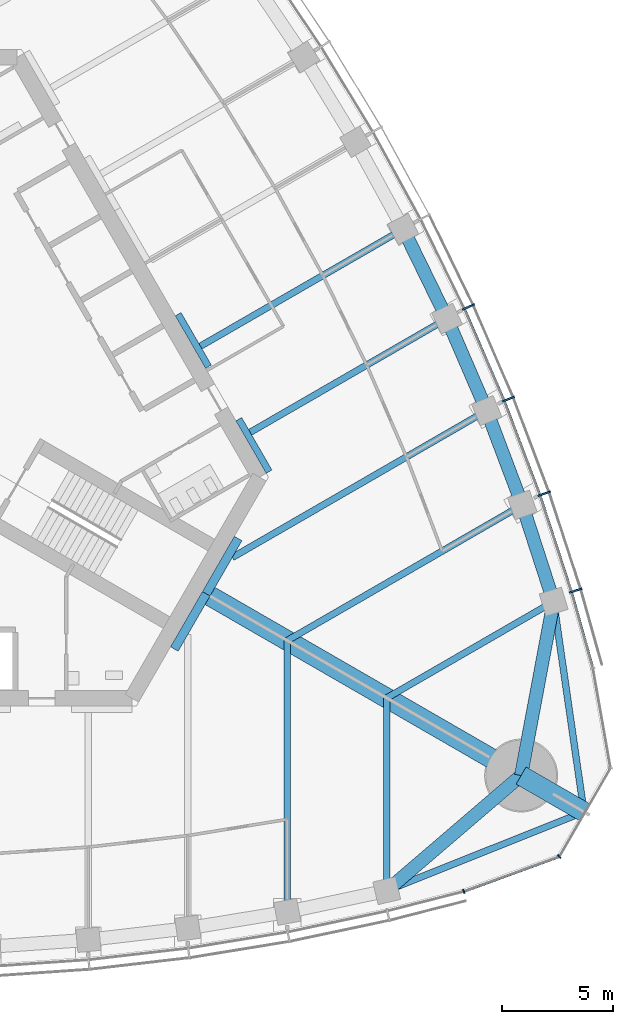
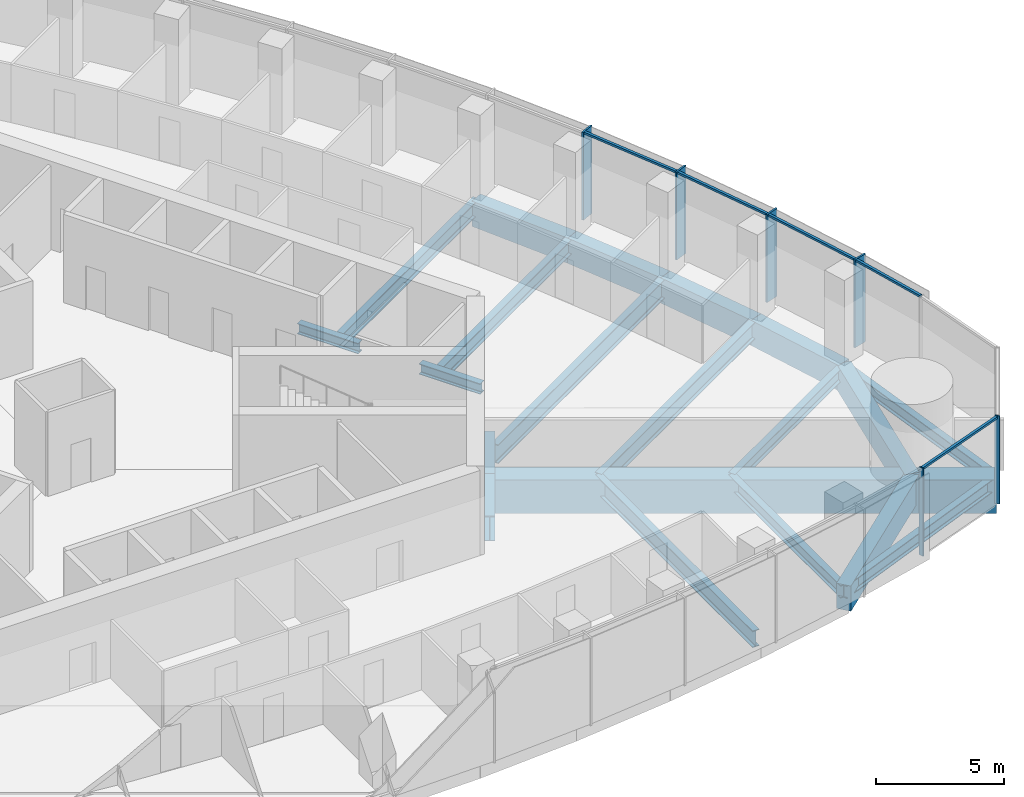
# One storey, part 4 of 19: 21 beams, 11 members, 2 elements without a shape of their own.
"""IFC4 building model written with IfcOpenShell, lengths in metres."""

from ifc_helpers import new_model, si_unit, direction, frame, origin, origin_2d, place, context, subcontext, project, spatial, rectangle, i_section, extrude, material, material_profile, profile_set, type_object, element, aggregate, save


model = new_model("IFC4")

# Units and contexts
model_context = context("Model", 3, precision=1e-05, world=origin(), true_north=direction((0.0, 1.0)))
body_context = subcontext(model_context, "Body", "Model", "MODEL_VIEW")
ifc_project = project(units=[si_unit("LENGTHUNIT", "METRE"), si_unit("AREAUNIT", "SQUARE_METRE"), si_unit("VOLUMEUNIT", "CUBIC_METRE"), si_unit("PLANEANGLEUNIT", "RADIAN"), si_unit("MASSUNIT", "GRAM", prefix="KILO")], contexts=[model_context])

# Site, building, storey
site_placement = place(None, origin())
site = spatial("IfcSite", under=ifc_project, at=site_placement, CompositionType="ELEMENT")
building_placement = place(site_placement, origin())
building = spatial("IfcBuilding", under=site, at=building_placement, Name="Trefoil Bronze Tower", CompositionType="ELEMENT")
storey_placement = place(building_placement, frame((0.0, 0.0, 235.89990234375)))
storey = spatial("IfcBuildingStorey", under=building, at=storey_placement, Name="L54", CompositionType="ELEMENT", Elevation=235.89990234375)

# Curtain wall, members
ifc_material_1 = material(Name="Tinted solar-control glass", Category="glass")
curtain_wall_type_1 = type_object("IfcCurtainWallType", Name="Bronze office curtain wall", PredefinedType="USERDEFINED", material=ifc_material_1)
curtain_wall_1_placement = place(storey_placement, origin())
curtain_wall_1 = element("IfcCurtainWall", 1, at=curtain_wall_1_placement, inside=storey, type_object=curtain_wall_type_1, Name="CW-A L54 F2", ObjectType="CURTAIN WALL", PredefinedType="USERDEFINED")
ifc_material_2 = material(Name="Bronze-finish aluminium", Category="aluminium")
ifc_material_profile_1 = material_profile(ifc_material_2, rectangle(XDim=0.60009765625, YDim=0.080078125, at=origin_2d()), Name="CW-A mullion")
ifc_profile_set_1 = profile_set([ifc_material_profile_1], Name="Bronze-finish aluminium")
member_type_1 = type_object("IfcMemberType", Name="Bronze office curtain wall mullion", PredefinedType="MULLION", material=ifc_profile_set_1)
member_1_placement = place(storey_placement, frame((31.05029296875, -8.132568359375, 0.0), z_axis=(0.0, 0.0, 1.0), x_axis=(-0.95694224323, -0.290278389002, 0.0)))
member_1 = element("IfcMember", 2, at=member_1_placement, type_object=member_type_1, Name="CW-A L54 F2 mullion 2", PredefinedType="MULLION", context=body_context, shape_type="SweptSolid", body=[
    extrude(rectangle(XDim=0.60009765625, YDim=0.080078125, at=origin_2d()), origin(), (0.0, 0.0, 1.0), 4.18017578125),
])
member_2_placement = place(storey_placement, frame((29.619873046875, -3.747314453125, 0.0), z_axis=(0.0, 0.0, 1.0), x_axis=(-0.943180077746, -0.332282020191, 0.0)))
member_2 = element("IfcMember", 3, at=member_2_placement, type_object=member_type_1, Name="CW-A L54 F2 mullion 3", PredefinedType="MULLION", context=body_context, shape_type="SweptSolid", body=[
    extrude(rectangle(XDim=0.60009765625, YDim=0.080078125, at=origin_2d()), origin(), (0.0, 0.0, 1.0), 4.18017578125),
])
member_3_placement = place(storey_placement, frame((27.999755859375, 0.529541015625, 0.0), z_axis=(0.0, 0.0, 1.0), x_axis=(-0.926689348282, -0.375828221106, 0.0)))
member_3 = element("IfcMember", 4, at=member_3_placement, type_object=member_type_1, Name="CW-A L54 F2 mullion 4", PredefinedType="MULLION", context=body_context, shape_type="SweptSolid", body=[
    extrude(rectangle(XDim=0.60009765625, YDim=0.080078125, at=origin_2d()), origin(), (0.0, 0.0, 1.0), 4.18017578125),
])
member_4_placement = place(storey_placement, frame((26.19482421875, 4.699462890625, 0.0), z_axis=(0.0, 0.0, 1.0), x_axis=(-0.908315380354, -0.418285990457, 0.0)))
member_4 = element("IfcMember", 5, at=member_4_placement, type_object=member_type_1, Name="CW-A L54 F2 mullion 5", PredefinedType="MULLION", context=body_context, shape_type="SweptSolid", body=[
    extrude(rectangle(XDim=0.60009765625, YDim=0.080078125, at=origin_2d()), origin(), (0.0, 0.0, 1.0), 4.18017578125),
])
ifc_material_3 = material(Name="Bronze-finish aluminium", Category="aluminium")
ifc_material_profile_2 = material_profile(ifc_material_3, rectangle(XDim=0.1201171875, YDim=0.10009765625, at=origin_2d()), Name="CW-A transom")
ifc_profile_set_2 = profile_set([ifc_material_profile_2], Name="Bronze-finish aluminium")
member_type_2 = type_object("IfcMemberType", Name="Bronze office curtain wall transom", PredefinedType="USERDEFINED", material=ifc_profile_set_2)
member_5_placement = place(storey_placement, frame((31.81201171875, -11.585205078125, 4.130126953125), z_axis=(-0.270284880437, 0.962780392097, 0.0), x_axis=(-0.962780392097, -0.270284880437, 0.0)))
member_5 = element("IfcMember", 6, at=member_5_placement, type_object=member_type_2, Name="CW-A L54 F2 transom 1", ObjectType="TRANSOM", PredefinedType="USERDEFINED", context=body_context, shape_type="SweptSolid", body=[
    extrude(rectangle(XDim=0.1201171875, YDim=0.10009765625, at=origin_2d()), origin(), (0.0, 0.0, 1.0), 3.48388671875),
])
member_6_placement = place(storey_placement, frame((30.845947265625, -8.150634765625, 4.130126953125), z_axis=(-0.310127806788, 0.950694874004, 0.0), x_axis=(-0.950694874004, -0.310127806788, 0.0)))
member_6 = element("IfcMember", 7, at=member_6_placement, type_object=member_type_2, Name="CW-A L54 F2 transom 2", ObjectType="TRANSOM", PredefinedType="USERDEFINED", context=body_context, shape_type="SweptSolid", body=[
    extrude(rectangle(XDim=0.1201171875, YDim=0.10009765625, at=origin_2d()), origin(), (0.0, 0.0, 1.0), 4.51953125),
])
member_7_placement = place(storey_placement, frame((29.416259765625, -3.774169921875, 4.130126953125), z_axis=(-0.354263170896, 0.935145767112, 0.0), x_axis=(-0.935145767112, -0.354263170896, 0.0)))
member_7 = element("IfcMember", 8, at=member_7_placement, type_object=member_type_2, Name="CW-A L54 F2 transom 3", ObjectType="TRANSOM", PredefinedType="USERDEFINED", context=body_context, shape_type="SweptSolid", body=[
    extrude(rectangle(XDim=0.1201171875, YDim=0.10009765625, at=origin_2d()), origin(), (0.0, 0.0, 1.0), 4.4794921875),
])
member_8_placement = place(storey_placement, frame((27.797607421875, 0.4931640625, 4.130126953125), z_axis=(-0.397220936772, 0.917723012346, 0.0), x_axis=(-0.917723012346, -0.397220936772, 0.0)))
member_8 = element("IfcMember", 9, at=member_8_placement, type_object=member_type_2, Name="CW-A L54 F2 transom 4", ObjectType="TRANSOM", PredefinedType="USERDEFINED", context=body_context, shape_type="SweptSolid", body=[
    extrude(rectangle(XDim=0.1201171875, YDim=0.10009765625, at=origin_2d()), origin(), (0.0, 0.0, 1.0), 4.449951171875),
])
aggregate(curtain_wall_1, [member_1, member_2, member_3, member_4, member_5, member_6, member_7, member_8])

ifc_material_4 = material(Name="Tinted solar-control glass", Category="glass")
curtain_wall_type_2 = type_object("IfcCurtainWallType", Name="Bronze rounded corner curtain wall", PredefinedType="USERDEFINED", material=ifc_material_4)
curtain_wall_2_placement = place(storey_placement, origin())
curtain_wall_2 = element("IfcCurtainWall", 10, at=curtain_wall_2_placement, inside=storey, type_object=curtain_wall_type_2, Name="CW-B L54 K1", ObjectType="CURTAIN WALL", PredefinedType="USERDEFINED")
ifc_material_5 = material(Name="Bronze-finish aluminium", Category="aluminium")
ifc_material_profile_3 = material_profile(ifc_material_5, rectangle(XDim=0.199951171875, YDim=0.06005859375, at=origin_2d()), Name="CW-B mullion")
ifc_profile_set_3 = profile_set([ifc_material_profile_3], Name="Bronze-finish aluminium")
member_type_3 = type_object("IfcMemberType", Name="Bronze rounded corner curtain wall mullion", PredefinedType="MULLION", material=ifc_profile_set_3)
member_9_placement = place(storey_placement, frame((25.9873046875, -21.74462890625, 0.0), z_axis=(0.0, 0.0, 1.0), x_axis=(-0.342020143326, 0.939692620786, 0.0)))
member_9 = element("IfcMember", 11, at=member_9_placement, type_object=member_type_3, Name="CW-B L54 K1 mullion 1", PredefinedType="MULLION", context=body_context, shape_type="SweptSolid", body=[
    extrude(rectangle(XDim=0.199951171875, YDim=0.06005859375, at=origin_2d()), origin(), (0.0, 0.0, 1.0), 4.18017578125),
])
member_10_placement = place(storey_placement, frame((30.302490234375, -20.16748046875, 0.0), z_axis=(0.0, 0.0, 1.0), x_axis=(-0.642787609687, 0.766044443119, 0.0)))
member_10 = element("IfcMember", 12, at=member_10_placement, type_object=member_type_3, Name="CW-B L54 K1 mullion 2", PredefinedType="MULLION", context=body_context, shape_type="SweptSolid", body=[
    extrude(rectangle(XDim=0.199951171875, YDim=0.06005859375, at=origin_2d()), origin(), (0.0, 0.0, 1.0), 4.18017578125),
])
ifc_material_6 = material(Name="Bronze-finish aluminium", Category="aluminium")
ifc_material_profile_4 = material_profile(ifc_material_6, rectangle(XDim=0.1201171875, YDim=0.10009765625, at=origin_2d()), Name="CW-B transom")
ifc_profile_set_4 = profile_set([ifc_material_profile_4], Name="Bronze-finish aluminium")
member_type_4 = type_object("IfcMemberType", Name="Bronze rounded corner curtain wall transom", PredefinedType="USERDEFINED", material=ifc_profile_set_4)
member_11_placement = place(storey_placement, frame((26.015380859375, -21.734375, 4.130126953125), z_axis=(0.939680910753, 0.342052314664, 0.0), x_axis=(-0.342052314664, 0.939680910753, 0.0)))
member_11 = element("IfcMember", 13, at=member_11_placement, type_object=member_type_4, Name="CW-B L54 K1 transom 1", ObjectType="TRANSOM", PredefinedType="USERDEFINED", context=body_context, shape_type="SweptSolid", body=[
    extrude(rectangle(XDim=0.1201171875, YDim=0.10009765625, at=origin_2d()), origin(), (0.0, 0.0, 1.0), 4.500244140625),
])
aggregate(curtain_wall_2, [member_9, member_10, member_11])

# Beams
ifc_material_7 = material(Name="Steel C355", Category="steel")
ifc_material_profile_5 = material_profile(ifc_material_7, i_section(OverallWidth=0.300048828125, OverallDepth=0.5, WebThickness=0.014404296875, FlangeThickness=0.028076171875, FilletRadius=0.027099609375, at=origin_2d()), Name="HEB 500")
ifc_profile_set_5 = profile_set([ifc_material_profile_5], Name="Steel C355")
beam_type_1 = type_object("IfcBeamType", Name="Core seat beam HEB 500", PredefinedType="BEAM", material=ifc_profile_set_5)
for number, where, z_axis, x_axis, name in (
    (14, (17.17626953125, -2.75, -0.449951171875), (-0.500035825175, 0.866004719122, 0.0), (-0.866004719122, -0.500035825175, 0.0), "Core seat beam F2/-2 L54"),
    (15, (14.433837890625, 2.0, -0.449951171875), (-0.500035825175, 0.866004719122, 0.0), (-0.866004719122, -0.500035825175, 0.0), "Core seat beam F2/-1 L54"),
):
    element("IfcBeam", number, at=place(storey_placement, frame(where, z_axis=z_axis, x_axis=x_axis)), inside=storey, type_object=beam_type_1, Name=name, PredefinedType="BEAM", context=body_context, shape_type="SweptSolid", body=[
        extrude(i_section(OverallWidth=0.300048828125, OverallDepth=0.5, WebThickness=0.014404296875, FlangeThickness=0.028076171875, FilletRadius=0.027099609375, at=origin_2d()), origin(), (0.0, 0.0, 1.0), 2.742431640625),
    ])
ifc_material_8 = material(Name="Steel C355", Category="steel")
ifc_material_profile_6 = material_profile(ifc_material_8, i_section(OverallWidth=0.39990234375, OverallDepth=1.199951171875, WebThickness=0.02001953125, FlangeThickness=0.0400390625, FilletRadius=0.010009765625, at=origin_2d()), Name="WPG 1200")
ifc_profile_set_6 = profile_set([ifc_material_profile_6], Name="Steel C355")
beam_type_2 = type_object("IfcBeamType", Name="Core seat beam WPG 1200", PredefinedType="BEAM", material=ifc_profile_set_6)
for number, where, z_axis, x_axis, name in (
    (16, (12.889404296875, -10.77490234375, -0.7998046875), (0.499995765644, 0.866027848477, 0.0), (-0.866027848477, 0.499995765644, 0.0), "Core seat beam F1/+3 L54"),
    (17, (14.332763671875, -8.27490234375, -0.7998046875), (0.499995765644, 0.866027848477, 0.0), (-0.866027848477, 0.499995765644, 0.0), "Core seat beam F2/-3 L54"),
):
    element("IfcBeam", number, at=place(storey_placement, frame(where, z_axis=z_axis, x_axis=x_axis)), inside=storey, type_object=beam_type_2, Name=name, PredefinedType="BEAM", context=body_context, shape_type="SweptSolid", body=[
        extrude(i_section(OverallWidth=0.39990234375, OverallDepth=1.199951171875, WebThickness=0.02001953125, FlangeThickness=0.0400390625, FilletRadius=0.010009765625, at=origin_2d()), origin(), (0.0, 0.0, 1.0), 2.88671875),
    ])
ifc_material_9 = material(Name="Concrete B80", Category="concrete")
ifc_material_profile_7 = material_profile(ifc_material_9, rectangle(XDim=0.89990234375, YDim=1.60009765625, at=origin_2d()), Name="RC 900x1600")
ifc_profile_set_7 = profile_set([ifc_material_profile_7], Name="Concrete B80")
beam_type_3 = type_object("IfcBeamType", Name="Corner cantilever RC 900x1600", PredefinedType="BEAM", material=ifc_profile_set_7)
beam_1_placement = place(storey_placement, frame((28.578857421875, -16.5, -1.0), z_axis=(0.866016004958, -0.500016278891, 0.0), x_axis=(0.500016278891, 0.866016004958, 0.0)))
element("IfcBeam", 18, at=beam_1_placement, inside=storey, type_object=beam_type_3, Name="Corner cantilever K1 L54", PredefinedType="BEAM", context=body_context, shape_type="SweptSolid", body=[
    extrude(rectangle(XDim=0.89990234375, YDim=1.60009765625, at=origin_2d()), origin(), (0.0, 0.0, 1.0), 3.28466796875),
])
ifc_material_10 = material(Name="Steel C355", Category="steel")
ifc_material_profile_8 = material_profile(ifc_material_10, i_section(OverallWidth=0.300048828125, OverallDepth=0.60009765625, WebThickness=0.015380859375, FlangeThickness=0.030029296875, FilletRadius=0.027099609375, at=origin_2d()), Name="HEB 600")
ifc_profile_set_8 = profile_set([ifc_material_profile_8], Name="Steel C355")
beam_type_4 = type_object("IfcBeamType", Name="Corner edge beam HEB 600", PredefinedType="BEAM", material=ifc_profile_set_8)
for number, where, z_axis, x_axis, name in (
    (19, (22.5, -21.71044921875, -0.5), (0.92852048463, 0.371281173266, 0.0), (-0.371281173266, 0.92852048463, 0.0), "Corner edge beam F1A L54"),
    (20, (30.052001953125, -8.63037109375, -0.5), (0.142694489722, -0.989766781925, 0.0), (0.989766781925, 0.142694489722, 0.0), "Corner edge beam F2B L54"),
):
    element("IfcBeam", number, at=place(storey_placement, frame(where, z_axis=z_axis, x_axis=x_axis)), inside=storey, type_object=beam_type_4, Name=name, PredefinedType="BEAM", context=body_context, shape_type="SweptSolid", body=[
        extrude(i_section(OverallWidth=0.300048828125, OverallDepth=0.60009765625, WebThickness=0.015380859375, FlangeThickness=0.030029296875, FilletRadius=0.027099609375, at=origin_2d()), origin(), (0.0, 0.0, 1.0), 9.6103515625),
    ])
ifc_material_11 = material(Name="Concrete B80", Category="concrete")
ifc_material_profile_9 = material_profile(ifc_material_11, rectangle(XDim=0.89990234375, YDim=1.60009765625, at=origin_2d()), Name="RC 900x1600")
ifc_profile_set_9 = profile_set([ifc_material_profile_9], Name="Concrete B80")
beam_type_5 = type_object("IfcBeamType", Name="Corner girder RC 900x1600", PredefinedType="BEAM", material=ifc_profile_set_9)
beam_2_placement = place(storey_placement, frame((14.159423828125, -8.175048828125, -1.0), z_axis=(0.866028334591, -0.49999492366, 0.0), x_axis=(0.49999492366, 0.866028334591, 0.0)))
element("IfcBeam", 21, at=beam_2_placement, inside=storey, type_object=beam_type_5, Name="Corner girder K1 L54", PredefinedType="BEAM", context=body_context, shape_type="SweptSolid", body=[
    extrude(rectangle(XDim=0.89990234375, YDim=1.60009765625, at=origin_2d()), origin(), (0.0, 0.0, 1.0), 16.650146484375),
])
ifc_material_12 = material(Name="Concrete B80", Category="concrete")
ifc_material_profile_10 = material_profile(ifc_material_12, rectangle(XDim=0.60009765625, YDim=1.199951171875, at=origin_2d()), Name="RC 600x1200")
ifc_profile_set_10 = profile_set([ifc_material_profile_10], Name="Concrete B80")
beam_type_6 = type_object("IfcBeamType", Name="End spandrel beam RC 600x1200", PredefinedType="SPANDREL", material=ifc_profile_set_10)
for number, where, z_axis, x_axis, name in (
    (22, (22.5, -21.71044921875, -0.7998046875), (0.759256602365, 0.650791373456, 0.0), (-0.650791373456, 0.759256602365, 0.0), "Spandrel F1.12 L54"),
    (23, (28.578857421875, -16.5, -0.7998046875), (0.18399763073, 0.982926686933, 0.0), (-0.982926686933, 0.18399763073, 0.0), "Spandrel F2.1 L54"),
):
    element("IfcBeam", number, at=place(storey_placement, frame(where, z_axis=z_axis, x_axis=x_axis)), inside=storey, type_object=beam_type_6, Name=name, PredefinedType="SPANDREL", context=body_context, shape_type="SweptSolid", body=[
        extrude(rectangle(XDim=0.60009765625, YDim=1.199951171875, at=origin_2d()), origin(), (0.0, 0.0, 1.0), 8.00634765625),
    ])
ifc_material_13 = material(Name="Steel C355", Category="steel")
ifc_material_profile_11 = material_profile(ifc_material_13, i_section(OverallWidth=0.300048828125, OverallDepth=0.590087890625, WebThickness=0.012939453125, FlangeThickness=0.02490234375, FilletRadius=0.027099609375, at=origin_2d()), Name="HEA 600")
ifc_profile_set_11 = profile_set([ifc_material_profile_11], Name="Steel C355")
beam_type_7 = type_object("IfcBeamType", Name="Floor beam HEA 600", PredefinedType="BEAM", material=ifc_profile_set_11)
beam_3_placement = place(storey_placement, frame((22.5, -21.71044921875, -0.494873046875), z_axis=(0.0, 1.0, 0.0), x_axis=(-1.0, 0.0, 0.0)))
element("IfcBeam", 24, at=beam_3_placement, inside=storey, type_object=beam_type_7, Name="Floor beam F1/+5 L54", PredefinedType="BEAM", context=body_context, shape_type="SweptSolid", body=[
    extrude(i_section(OverallWidth=0.300048828125, OverallDepth=0.590087890625, WebThickness=0.012939453125, FlangeThickness=0.02490234375, FilletRadius=0.027099609375, at=origin_2d()), origin(), (0.0, 0.0, 1.0), 8.719970703125),
])
beam_4_placement = place(storey_placement, frame((30.052001953125, -8.63037109375, -0.494873046875), z_axis=(-0.866027535932, -0.499996306993, 0.0), x_axis=(0.499996306993, -0.866027535932, 0.0)))
element("IfcBeam", 25, at=beam_4_placement, inside=storey, type_object=beam_type_7, Name="Floor beam F2/-5 L54", PredefinedType="BEAM", context=body_context, shape_type="SweptSolid", body=[
    extrude(i_section(OverallWidth=0.300048828125, OverallDepth=0.590087890625, WebThickness=0.012939453125, FlangeThickness=0.02490234375, FilletRadius=0.027099609375, at=origin_2d()), origin(), (0.0, 0.0, 1.0), 8.72021484375),
])
ifc_material_14 = material(Name="Steel C355", Category="steel")
ifc_material_profile_12 = material_profile(ifc_material_14, i_section(OverallWidth=0.300048828125, OverallDepth=0.699951171875, WebThickness=0.01708984375, FlangeThickness=0.031982421875, FilletRadius=0.027099609375, at=origin_2d()), Name="HEB 700")
ifc_profile_set_12 = profile_set([ifc_material_profile_12], Name="Steel C355")
beam_type_8 = type_object("IfcBeamType", Name="Floor beam HEB 700", PredefinedType="BEAM", material=ifc_profile_set_12)
beam_5_placement = place(storey_placement, frame((25.2265625, 4.17236328125, -0.5498046875), z_axis=(-0.866019527493, -0.500010177898, 0.0), x_axis=(0.500010177898, -0.866019527493, 0.0)))
element("IfcBeam", 26, at=beam_5_placement, inside=storey, type_object=beam_type_8, Name="Floor beam F2/-2 L54", PredefinedType="BEAM", context=body_context, shape_type="SweptSolid", body=[
    extrude(i_section(OverallWidth=0.300048828125, OverallDepth=0.699951171875, WebThickness=0.01708984375, FlangeThickness=0.031982421875, FilletRadius=0.027099609375, at=origin_2d()), origin(), (0.0, 0.0, 1.0), 10.282958984375),
])
beam_6_placement = place(storey_placement, frame((23.248046875, 8.22607421875, -0.5498046875), z_axis=(-0.86602981261, -0.499992363612, 0.0), x_axis=(0.499992363612, -0.86602981261, 0.0)))
element("IfcBeam", 27, at=beam_6_placement, inside=storey, type_object=beam_type_8, Name="Floor beam F2/-1 L54", PredefinedType="BEAM", context=body_context, shape_type="SweptSolid", body=[
    extrude(i_section(OverallWidth=0.300048828125, OverallDepth=0.699951171875, WebThickness=0.01708984375, FlangeThickness=0.031982421875, FilletRadius=0.027099609375, at=origin_2d()), origin(), (0.0, 0.0, 1.0), 10.596435546875),
])
ifc_material_15 = material(Name="Steel C355", Category="steel")
ifc_material_profile_13 = material_profile(ifc_material_15, i_section(OverallWidth=0.300048828125, OverallDepth=0.800048828125, WebThickness=0.017578125, FlangeThickness=0.032958984375, FilletRadius=0.030029296875, at=origin_2d()), Name="HEB 800")
ifc_profile_set_13 = profile_set([ifc_material_profile_13], Name="Steel C355")
beam_type_9 = type_object("IfcBeamType", Name="Floor beam HEB 800", PredefinedType="BEAM", material=ifc_profile_set_13)
beam_7_placement = place(storey_placement, frame((18.0, -22.6689453125, -0.599853515625), z_axis=(0.0, 1.0, 0.0), x_axis=(-1.0, 0.0, 0.0)))
element("IfcBeam", 28, at=beam_7_placement, inside=storey, type_object=beam_type_9, Name="Floor beam F1/+4 L54", PredefinedType="BEAM", context=body_context, shape_type="SweptSolid", body=[
    extrude(i_section(OverallWidth=0.300048828125, OverallDepth=0.800048828125, WebThickness=0.017578125, FlangeThickness=0.032958984375, FilletRadius=0.030029296875, at=origin_2d()), origin(), (0.0, 0.0, 1.0), 12.276611328125),
])
beam_8_placement = place(storey_placement, frame((28.632080078125, -4.25390625, -0.599853515625), z_axis=(-0.866025635187, -0.499999599199, 0.0), x_axis=(0.499999599199, -0.866025635187, 0.0)))
element("IfcBeam", 29, at=beam_8_placement, inside=storey, type_object=beam_type_9, Name="Floor beam F2/-4 L54", PredefinedType="BEAM", context=body_context, shape_type="SweptSolid", body=[
    extrude(i_section(OverallWidth=0.300048828125, OverallDepth=0.800048828125, WebThickness=0.017578125, FlangeThickness=0.032958984375, FilletRadius=0.030029296875, at=origin_2d()), origin(), (0.0, 0.0, 1.0), 12.27685546875),
])
ifc_material_16 = material(Name="Steel C355", Category="steel")
ifc_material_profile_14 = material_profile(ifc_material_16, i_section(OverallWidth=0.300048828125, OverallDepth=0.89990234375, WebThickness=0.0185546875, FlangeThickness=0.034912109375, FilletRadius=0.030029296875, at=origin_2d()), Name="HEB 900")
ifc_profile_set_14 = profile_set([ifc_material_profile_14], Name="Steel C355")
beam_type_10 = type_object("IfcBeamType", Name="Floor beam HEB 900", PredefinedType="BEAM", material=ifc_profile_set_14)
beam_9_placement = place(storey_placement, frame((27.022216796875, 0.012939453125, -0.64990234375), z_axis=(-0.866023461342, -0.500003364394, 0.0), x_axis=(0.500003364394, -0.866023461342, 0.0)))
element("IfcBeam", 30, at=beam_9_placement, inside=storey, type_object=beam_type_10, Name="Floor beam F2/-3 L54", PredefinedType="BEAM", context=body_context, shape_type="SweptSolid", body=[
    extrude(i_section(OverallWidth=0.300048828125, OverallDepth=0.89990234375, WebThickness=0.0185546875, FlangeThickness=0.034912109375, FilletRadius=0.030029296875, at=origin_2d()), origin(), (0.0, 0.0, 1.0), 13.291015625),
])
ifc_material_17 = material(Name="Concrete B80", Category="concrete")
ifc_material_profile_15 = material_profile(ifc_material_17, rectangle(XDim=0.60009765625, YDim=1.199951171875, at=origin_2d()), Name="RC 600x1200")
ifc_profile_set_15 = profile_set([ifc_material_profile_15], Name="Concrete B80")
beam_type_11 = type_object("IfcBeamType", Name="Spandrel beam RC 600x1200", PredefinedType="SPANDREL", material=ifc_profile_set_15)
beam_10_placement = place(storey_placement, frame((30.052001953125, -8.63037109375, -0.7998046875), z_axis=(-0.308608505504, 0.951189145402, 0.0), x_axis=(-0.951189145402, -0.308608505504, 0.0)))
element("IfcBeam", 31, at=beam_10_placement, inside=storey, type_object=beam_type_11, Name="Spandrel F2.2 L54", PredefinedType="SPANDREL", context=body_context, shape_type="SweptSolid", body=[
    extrude(rectangle(XDim=0.60009765625, YDim=1.199951171875, at=origin_2d()), origin(), (0.0, 0.0, 1.0), 4.60107421875),
])
beam_11_placement = place(storey_placement, frame((28.632080078125, -4.25390625, -0.7998046875), z_axis=(-0.353005969632, 0.935621069346, 0.0), x_axis=(-0.935621069346, -0.353005969632, 0.0)))
element("IfcBeam", 32, at=beam_11_placement, inside=storey, type_object=beam_type_11, Name="Spandrel F2.3 L54", PredefinedType="SPANDREL", context=body_context, shape_type="SweptSolid", body=[
    extrude(rectangle(XDim=0.60009765625, YDim=1.199951171875, at=origin_2d()), origin(), (0.0, 0.0, 1.0), 4.560546875),
])
beam_12_placement = place(storey_placement, frame((27.022216796875, 0.012939453125, -0.7998046875), z_axis=(-0.396350337164, 0.918099346602, 0.0), x_axis=(-0.918099346602, -0.396350337164, 0.0)))
element("IfcBeam", 33, at=beam_12_placement, inside=storey, type_object=beam_type_11, Name="Spandrel F2.4 L54", PredefinedType="SPANDREL", context=body_context, shape_type="SweptSolid", body=[
    extrude(rectangle(XDim=0.60009765625, YDim=1.199951171875, at=origin_2d()), origin(), (0.0, 0.0, 1.0), 4.530517578125),
])
beam_13_placement = place(storey_placement, frame((25.2265625, 4.17236328125, -0.7998046875), z_axis=(-0.438619830351, 0.898672712629, 0.0), x_axis=(-0.898672712629, -0.438619830351, 0.0)))
element("IfcBeam", 34, at=beam_13_placement, inside=storey, type_object=beam_type_11, Name="Spandrel F2.5 L54", PredefinedType="SPANDREL", context=body_context, shape_type="SweptSolid", body=[
    extrude(rectangle(XDim=0.60009765625, YDim=1.199951171875, at=origin_2d()), origin(), (0.0, 0.0, 1.0), 4.5107421875),
])

save(model, "model.ifc")
